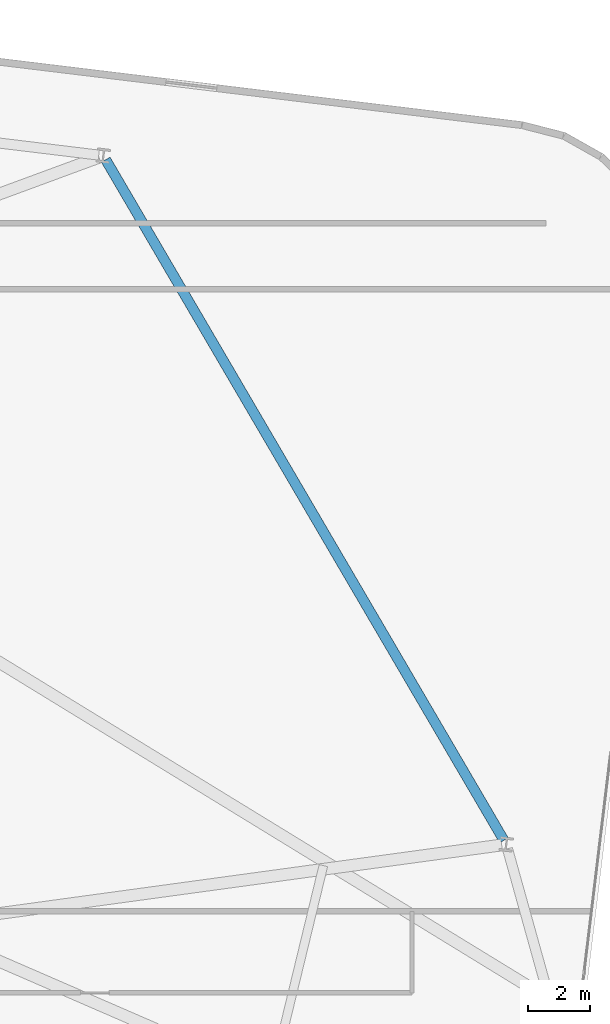
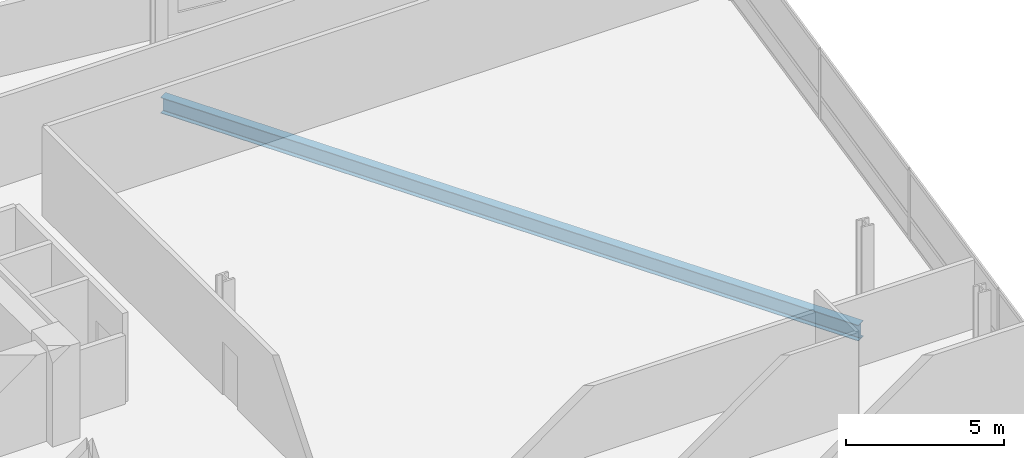
# One storey, part 17 of 25: 1 beam.
"""IFC4 building model written with IfcOpenShell, lengths in metres."""

from ifc_helpers import new_model, si_unit, direction, frame, origin, origin_2d, place, context, subcontext, project, spatial, i_section, extrude, material, material_profile, profile_set, type_object, element, save


model = new_model("IFC4")

# Units and contexts
model_context = context("Model", 3, precision=1e-05, world=origin(), true_north=direction((0.0, 1.0)))
body_context = subcontext(model_context, "Body", "Model", "MODEL_VIEW")
ifc_project = project(units=[si_unit("LENGTHUNIT", "METRE"), si_unit("AREAUNIT", "SQUARE_METRE"), si_unit("VOLUMEUNIT", "CUBIC_METRE"), si_unit("PLANEANGLEUNIT", "RADIAN"), si_unit("MASSUNIT", "GRAM", prefix="KILO")], contexts=[model_context])

# Site, building, storey
site_placement = place(None, origin())
site = spatial("IfcSite", under=ifc_project, at=site_placement, CompositionType="ELEMENT")
building_placement = place(site_placement, origin())
building = spatial("IfcBuilding", under=site, at=building_placement, Name="Varnelok Gate Tower", CompositionType="ELEMENT")
storey_placement = place(building_placement, frame((0.0, 0.0, 140.199951171875)))
storey = spatial("IfcBuildingStorey", under=building, at=storey_placement, Name="L35", CompositionType="ELEMENT", Elevation=140.199951171875)

# Beam
ifc_material = material(Name="Structural Steel ASTM A992 Grade 50", Category="steel")
ifc_material_profile = material_profile(ifc_material, i_section(OverallWidth=0.323974609375, OverallDepth=0.611083984375, WebThickness=0.0126953125, FlangeThickness=0.01904296875, FilletRadius=0.01806640625, at=origin_2d()), Name="W24X104")
ifc_profile_set = profile_set([ifc_material_profile], Name="Structural Steel ASTM A992 Grade 50")
beam_type = type_object("IfcBeamType", Name="BM-SPN-W24X104", PredefinedType="SPANDREL", material=ifc_profile_set)
beam_placement = place(storey_placement, frame((72.96875, 21.528076171875, -0.555419921875), z_axis=(-0.504960797965, 0.863142278259, 0.0), x_axis=(-0.863142278259, -0.504960797965, 0.0)))
element("IfcBeam", 1, at=beam_placement, inside=storey, type_object=beam_type, Name="L35 Perimeter Spandrel Beam 8", PredefinedType="SPANDREL", context=body_context, shape_type="SweptSolid", body=[
    extrude(i_section(OverallWidth=0.323974609375, OverallDepth=0.611083984375, WebThickness=0.0126953125, FlangeThickness=0.01904296875, FilletRadius=0.01806640625, at=origin_2d()), origin(), (0.0, 0.0, 1.0), 25.425537109375),
])

save(model, "model.ifc")
